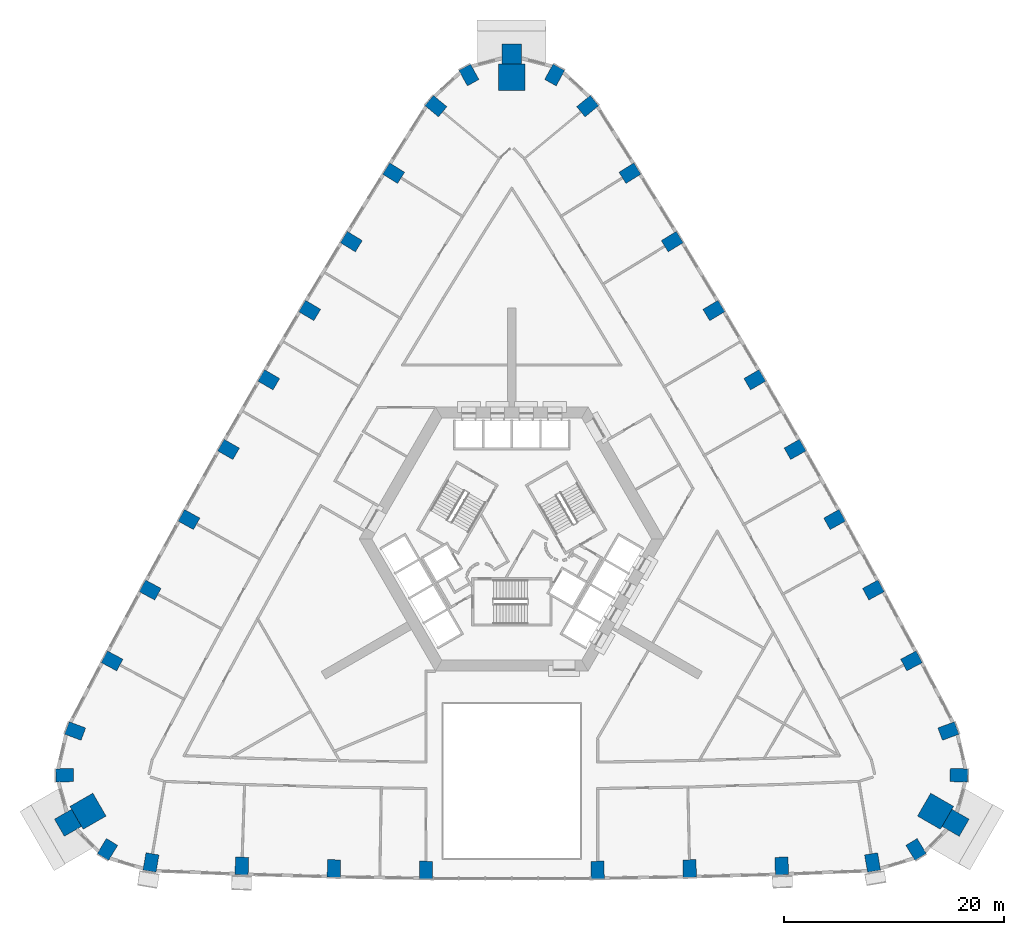
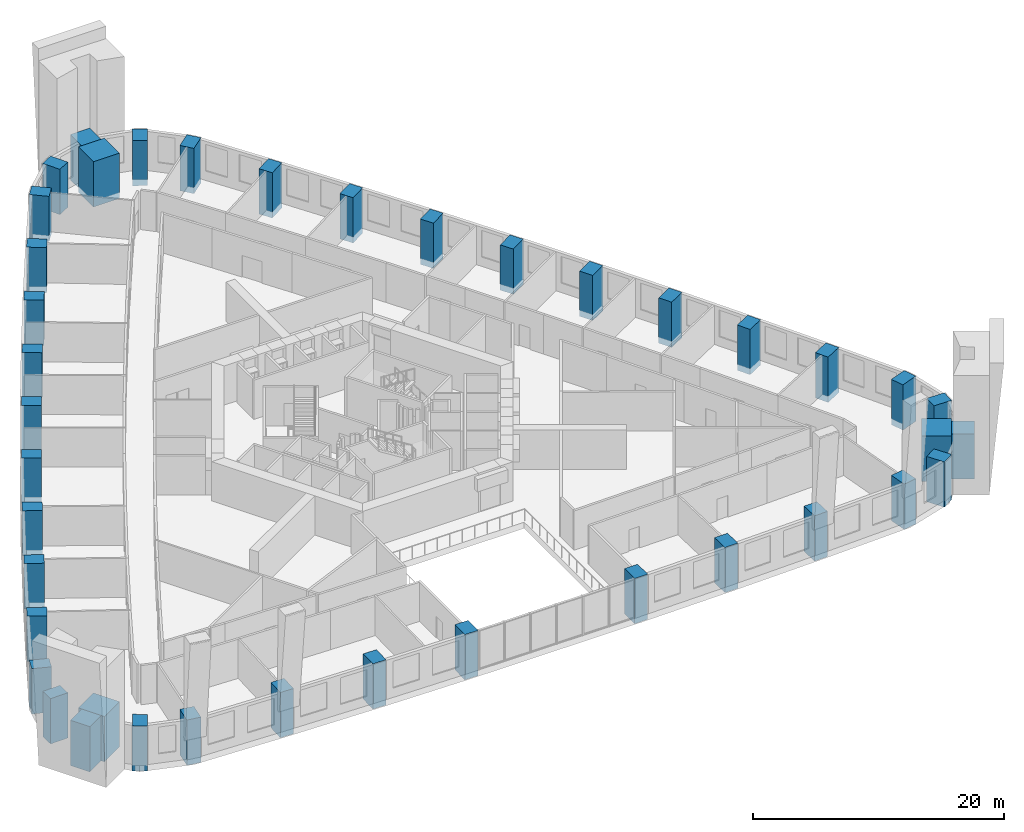
# One storey, part 1 of 15: 40 columns.
"""IFC4 building model written with IfcOpenShell, lengths in metres."""

from ifc_helpers import new_model, si_unit, direction, frame, origin, origin_2d, place, context, subcontext, project, spatial, rectangle, extrude, material, material_profile, profile_set, type_object, element, save


model = new_model("IFC4")

# Units and contexts
model_context = context("Model", 3, precision=1e-05, world=origin(), true_north=direction((0.0, 1.0)))
body_context = subcontext(model_context, "Body", "Model", "MODEL_VIEW")
ifc_project = project(units=[si_unit("LENGTHUNIT", "METRE"), si_unit("AREAUNIT", "SQUARE_METRE"), si_unit("VOLUMEUNIT", "CUBIC_METRE"), si_unit("PLANEANGLEUNIT", "RADIAN"), si_unit("MASSUNIT", "GRAM", prefix="KILO")], contexts=[model_context])

# Site, building, storey
site_placement = place(None, origin())
site = spatial("IfcSite", under=ifc_project, at=site_placement, CompositionType="ELEMENT")
building_placement = place(site_placement, origin())
building = spatial("IfcBuilding", under=site, at=building_placement, Name="Entoto Arch Interchange Tower", CompositionType="ELEMENT")
storey_placement = place(building_placement, frame((0.0, 0.0, 35.0)))
storey = spatial("IfcBuildingStorey", under=building, at=storey_placement, Name="L06", CompositionType="ELEMENT", Elevation=35.0)

# Columns
ifc_material_1 = material(Name="Concrete C60/75", Category="concrete")
ifc_material_profile_1 = material_profile(ifc_material_1, rectangle(XDim=1.199951171875, YDim=1.60009765625, at=origin_2d()))
ifc_profile_set_1 = profile_set([ifc_material_profile_1], Name="Concrete C60/75")
column_type_1 = type_object("IfcColumnType", Name="Column RC 1200x1600 C60/75", PredefinedType="COLUMN", material=ifc_profile_set_1)
for number, where, z_axis, x_axis, name in (
    (1, (-32.760986328125, -26.87109375, -0.60009765625), (0.0, 0.0, 1.0), (-0.98600476771, 0.166717119856, 0.0), "Column S01 L06"),
    (2, (-24.510009765625, -27.18798828125, -0.60009765625), (0.0, 0.0, 1.0), (-0.999434480961, 0.033626154508, 0.0), "Column S02 L06"),
    (3, (-16.14990234375, -27.4208984375, -0.60009765625), (0.0, 0.0, 1.0), (-0.99975435134, 0.022163866481, 0.0), "Column S03 L06"),
    (4, (-7.79296875, -27.55810546875, -0.60009765625), (0.0, 0.0, 1.0), (-0.999966355195, 0.008202955488, 0.0), "Column S04 L06"),
    (5, (7.79296875, -27.55810546875, -0.60009765625), (0.0, 0.0, 1.0), (0.999966355195, 0.008202955488, 0.0), "Column S05 L06"),
    (6, (16.14990234375, -27.4208984375, -0.60009765625), (0.0, 0.0, 1.0), (0.99975435134, 0.022163866481, 0.0), "Column S06 L06"),
    (7, (24.510009765625, -27.18798828125, -0.60009765625), (0.0, 0.0, 1.0), (0.999434480961, 0.033626154508, 0.0), "Column S07 L06"),
    (8, (32.760986328125, -26.87109375, -0.60009765625), (0.0, 0.0, 1.0), (0.98600476771, 0.166717119856, 0.0), "Column S08 L06"),
    (9, (36.7119140625, -25.68798828125, -0.60009765625), (0.0, 0.0, 1.0), (0.854522294989, 0.519414716163, 0.0), "Column SE1 L06"),
    (10, (40.60302734375, -18.949951171875, -0.60009765625), (0.0, 0.0, 1.0), (0.022565191802, 0.999745373642, 0.0), "Column SE3 L06"),
    (11, (39.64990234375, -14.93603515625, -0.60009765625), (0.0, 0.0, 1.0), (-0.348277574304, 0.937391450375, 0.0), "Column NE01 L06"),
    (12, (36.298095703125, -8.56689453125, -0.60009765625), (0.0, 0.0, 1.0), (-0.46931745221, 0.883029517656, 0.0), "Column NE02 L06"),
    (13, (32.8369140625, -2.132080078125, -0.60009765625), (0.0, 0.0, 1.0), (-0.478140110514, 0.878283573066, 0.0), "Column NE03 L06"),
    (14, (29.31103515625, 4.26708984375, -0.60009765625), (0.0, 0.0, 1.0), (-0.486914781103, 0.873449481048, 0.0), "Column NE04 L06"),
    (15, (25.720947265625, 10.632080078125, -0.60009765625), (0.0, 0.0, 1.0), (-0.495655741916, 0.868519076074, 0.0), "Column NE05 L06"),
    (16, (22.068115234375, 16.958984375, -0.60009765625), (0.0, 0.0, 1.0), (-0.504331712594, 0.863510002068, 0.0), "Column NE06 L06"),
    (17, (18.35009765625, 23.25, -0.60009765625), (0.0, 0.0, 1.0), (-0.512972048958, 0.858405310438, 0.0), "Column NE07 L06"),
    (18, (14.571044921875, 29.50390625, -0.60009765625), (0.0, 0.0, 1.0), (-0.521545830745, 0.853223268806, 0.0), "Column NE08 L06"),
    (19, (10.72900390625, 35.718994140625, -0.60009765625), (0.0, 0.0, 1.0), (-0.530067268476, 0.847955594881, 0.0), "Column NE09 L06"),
    (20, (6.889892578125, 41.805908203125, -0.60009765625), (0.0, 0.0, 1.0), (-0.637666022163, 0.770312952103, 0.0), "Column NE10 L06"),
    (21, (3.89111328125, 44.637939453125, -0.60009765625), (0.0, 0.0, 1.0), (-0.877079103306, 0.48034596547, 0.0), "Column N1 L06"),
    (22, (-3.89111328125, 44.637939453125, -0.60009765625), (0.0, 0.0, 1.0), (0.877079103306, 0.48034596547, 0.0), "Column N3 L06"),
    (23, (-6.889892578125, 41.805908203125, -0.60009765625), (0.0, 0.0, 1.0), (0.637666022163, 0.770312952103, 0.0), "Column NW01 L06"),
    (24, (-10.72900390625, 35.718994140625, -0.60009765625), (0.0, 0.0, 1.0), (0.530067268476, 0.847955594881, 0.0), "Column NW02 L06"),
    (25, (-14.571044921875, 29.50390625, -0.60009765625), (0.0, 0.0, 1.0), (0.521545830745, 0.853223268806, 0.0), "Column NW03 L06"),
    (26, (-18.35009765625, 23.25, -0.60009765625), (0.0, 0.0, 1.0), (0.512972048958, 0.858405310438, 0.0), "Column NW04 L06"),
    (27, (-22.068115234375, 16.958984375, -0.60009765625), (0.0, 0.0, 1.0), (0.504331712594, 0.863510002068, 0.0), "Column NW05 L06"),
    (28, (-25.720947265625, 10.632080078125, -0.60009765625), (0.0, 0.0, 1.0), (0.495655741916, 0.868519076074, 0.0), "Column NW06 L06"),
    (29, (-29.31103515625, 4.26708984375, -0.60009765625), (0.0, 0.0, 1.0), (0.486914781103, 0.873449481048, 0.0), "Column NW07 L06"),
    (30, (-32.8369140625, -2.132080078125, -0.60009765625), (0.0, 0.0, 1.0), (0.478140110514, 0.878283573066, 0.0), "Column NW08 L06"),
    (31, (-36.298095703125, -8.56689453125, -0.60009765625), (0.0, 0.0, 1.0), (0.46931745221, 0.883029517656, 0.0), "Column NW09 L06"),
    (32, (-39.64990234375, -14.93603515625, -0.60009765625), (0.0, 0.0, 1.0), (0.348277574304, 0.937391450375, 0.0), "Column NW10 L06"),
    (33, (-40.60302734375, -18.949951171875, -0.60009765625), (0.0, 0.0, 1.0), (-0.022565191802, 0.999745373642, 0.0), "Column SW1 L06"),
    (34, (-36.7119140625, -25.68798828125, -0.60009765625), (0.0, 0.0, 1.0), (-0.854522294989, 0.519414716163, 0.0), "Column SW3 L06"),
):
    element("IfcColumn", number, at=place(storey_placement, frame(where, z_axis=z_axis, x_axis=x_axis)), inside=storey, type_object=column_type_1, Name=name, PredefinedType="COLUMN", context=body_context, shape_type="SweptSolid", body=[
        extrude(rectangle(XDim=1.199951171875, YDim=1.60009765625, at=origin_2d()), origin(), (0.0, 0.0, 1.0), 4.400146484375),
    ])
ifc_material_2 = material(Name="Precast concrete C40/50", Category="concrete")
ifc_material_profile_2 = material_profile(ifc_material_2, rectangle(XDim=1.800048828125, YDim=1.800048828125, at=origin_2d()))
ifc_profile_set_2 = profile_set([ifc_material_profile_2], Name="Precast concrete C40/50")
column_type_2 = type_object("IfcColumnType", Name="Frame post RC 1800x1800 precast C40/50", PredefinedType="COLUMN", material=ifc_profile_set_2)
for number, where, z_axis, x_axis, name in (
    (35, (40.299072265625, -23.26708984375, -0.60009765625), (0.0, 0.0, 1.0), (-0.866025403784, 0.5, 0.0), "Frame post SE L06"),
    (36, (0.0, 46.532958984375, -0.60009765625), (0.0, 0.0, 1.0), (0.0, 1.0, 0.0), "Frame post N L06"),
    (37, (-40.299072265625, -23.26708984375, -0.60009765625), (0.0, 0.0, 1.0), (0.866025403784, 0.5, 0.0), "Frame post SW L06"),
):
    element("IfcColumn", number, at=place(storey_placement, frame(where, z_axis=z_axis, x_axis=x_axis)), inside=storey, type_object=column_type_2, Name=name, PredefinedType="COLUMN", context=body_context, shape_type="SweptSolid", body=[
        extrude(rectangle(XDim=1.800048828125, YDim=1.800048828125, at=origin_2d()), origin(), (0.0, 0.0, 1.0), 4.400146484375),
    ])
ifc_material_profile_3 = material_profile(ifc_material_1, rectangle(XDim=2.39990234375, YDim=2.39990234375, at=origin_2d()))
ifc_profile_set_3 = profile_set([ifc_material_profile_3], Name="Concrete C60/75")
column_type_3 = type_object("IfcColumnType", Name="Mega column RC 2400x2400 C60/75", PredefinedType="COLUMN", material=ifc_profile_set_3)
for number, where, z_axis, x_axis, name in (
    (38, (38.47998046875, -22.217041015625, -0.60009765625), (0.0, 0.0, 1.0), (-0.866025403784, 0.5, 0.0), "Corner mega column SE2 L06"),
    (39, (0.0, 44.43310546875, -0.60009765625), (0.0, 0.0, 1.0), (0.0, 1.0, 0.0), "Corner mega column N2 L06"),
    (40, (-38.47998046875, -22.217041015625, -0.60009765625), (0.0, 0.0, 1.0), (0.866025403784, 0.5, 0.0), "Corner mega column SW2 L06"),
):
    element("IfcColumn", number, at=place(storey_placement, frame(where, z_axis=z_axis, x_axis=x_axis)), inside=storey, type_object=column_type_3, Name=name, PredefinedType="COLUMN", context=body_context, shape_type="SweptSolid", body=[
        extrude(rectangle(XDim=2.39990234375, YDim=2.39990234375, at=origin_2d()), origin(), (0.0, 0.0, 1.0), 4.400146484375),
    ])

save(model, "model.ifc")
